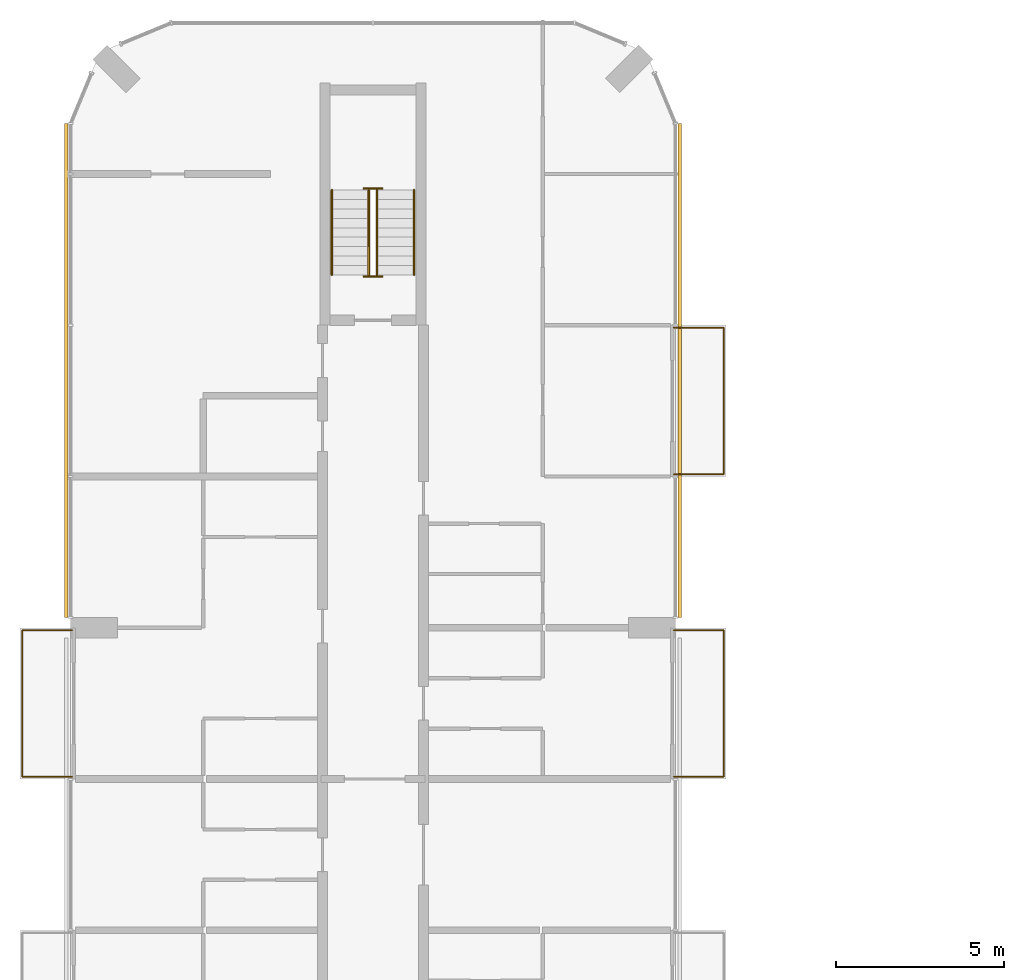
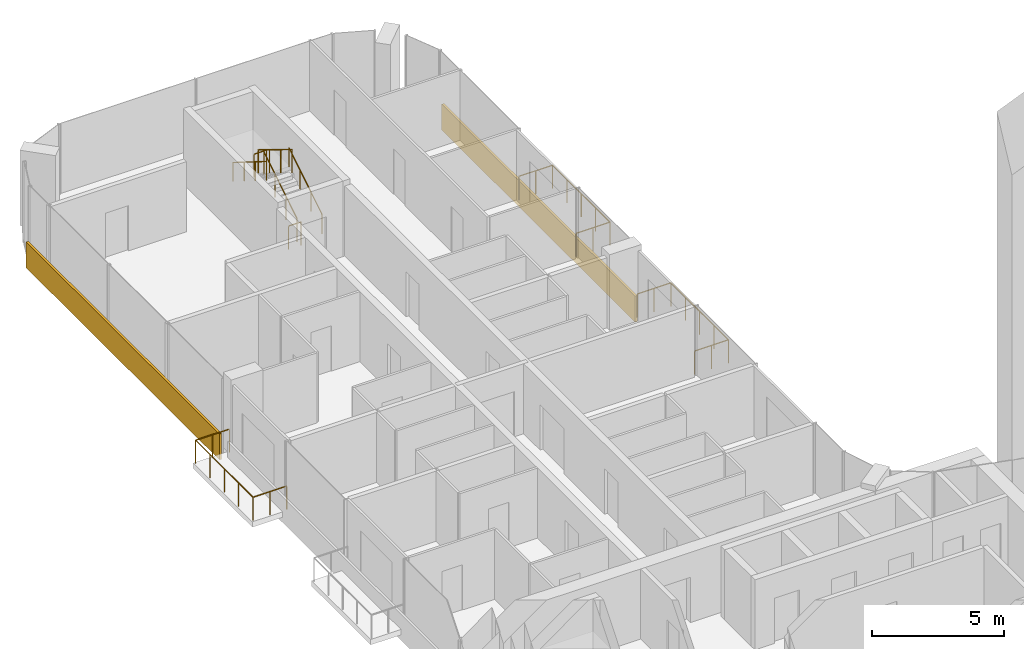
# One storey, part 18 of 18: 9 railings, 2 coverings.
"""IFC4 building model written with IfcOpenShell, lengths in metres."""

from ifc_helpers import new_model, si_unit, direction, frame, origin, origin_2d, place, context, subcontext, project, spatial, rectangle, circle, extrude, material, layer, layer_set, type_object, element, save


model = new_model("IFC4")

# Units and contexts
model_context = context("Model", 3, precision=1e-05, world=origin(), true_north=direction((0.0, 1.0)))
body_context = subcontext(model_context, "Body", "Model", "MODEL_VIEW")
ifc_project = project(units=[si_unit("LENGTHUNIT", "METRE"), si_unit("AREAUNIT", "SQUARE_METRE"), si_unit("VOLUMEUNIT", "CUBIC_METRE"), si_unit("PLANEANGLEUNIT", "RADIAN"), si_unit("MASSUNIT", "GRAM", prefix="KILO")], contexts=[model_context])

# Site, building, storey
site_placement = place(None, origin())
site = spatial("IfcSite", under=ifc_project, at=site_placement, CompositionType="ELEMENT")
building_placement = place(site_placement, origin())
building = spatial("IfcBuilding", under=site, at=building_placement, Name="Plateau Cross Towers", CompositionType="ELEMENT")
storey_placement = place(building_placement, frame((0.0, 0.0, 139.39990234375)))
storey = spatial("IfcBuildingStorey", under=building, at=storey_placement, Name="L35", CompositionType="ELEMENT", Elevation=139.39990234375)

# Railings
ifc_material_1 = material(Name="Stainless steel and toughened glass", Category="steel")
railing_type_1 = type_object("IfcRailingType", Name="Glass balustrade guard 1100", PredefinedType="GUARDRAIL", material=ifc_material_1)
railing_1_placement = place(storey_placement, frame((0.050048828125, 31.570068359375, 0.0)))
element("IfcRailing", 1, at=railing_1_placement, inside=storey, type_object=railing_type_1, Name="Guard guard1", PredefinedType="GUARDRAIL", context=body_context, shape_type="SweptSolid", body=[
    extrude(circle(Radius=0.02392578125, at=origin_2d()), frame((0.0, 0.0, 1.076171875), z_axis=(-1.0, 0.0, 0.0), x_axis=(0.0, -1.0, 0.0)), (0.0, 0.0, 1.0), 1.47998046875),
    extrude(circle(Radius=0.02392578125, at=origin_2d()), frame((-1.47998046875, 0.0, 1.076171875), z_axis=(0.0, 1.0, 0.0), x_axis=(-1.0, 0.0, 0.0)), (0.0, 0.0, 1.0), 4.35986328125),
    extrude(circle(Radius=0.02392578125, at=origin_2d()), frame((-1.47998046875, 4.35986328125, 1.076171875), z_axis=(1.0, 0.0, 0.0), x_axis=(0.0, 1.0, 0.0)), (0.0, 0.0, 1.0), 1.47998046875),
    extrude(circle(Radius=0.02099609375, at=origin_2d()), origin(), (0.0, 0.0, 1.0), 1.052001953125),
    extrude(circle(Radius=0.02099609375, at=origin_2d()), frame((-0.739990234375, 0.0, 0.0)), (0.0, 0.0, 1.0), 1.052001953125),
    extrude(circle(Radius=0.02099609375, at=origin_2d()), frame((-1.47998046875, 0.0, 0.0)), (0.0, 0.0, 1.0), 1.052001953125),
    extrude(circle(Radius=0.02099609375, at=origin_2d()), frame((-1.47998046875, 1.08984375, 0.0)), (0.0, 0.0, 1.0), 1.052001953125),
    extrude(circle(Radius=0.02099609375, at=origin_2d()), frame((-1.47998046875, 2.179931640625, 0.0)), (0.0, 0.0, 1.0), 1.052001953125),
    extrude(circle(Radius=0.02099609375, at=origin_2d()), frame((-1.47998046875, 3.27001953125, 0.0)), (0.0, 0.0, 1.0), 1.052001953125),
    extrude(circle(Radius=0.02099609375, at=origin_2d()), frame((-1.47998046875, 4.35986328125, 0.0)), (0.0, 0.0, 1.0), 1.052001953125),
    extrude(circle(Radius=0.02099609375, at=origin_2d()), frame((-0.739990234375, 4.35986328125, 0.0)), (0.0, 0.0, 1.0), 1.052001953125),
    extrude(circle(Radius=0.02099609375, at=origin_2d()), frame((0.0, 4.35986328125, 0.0)), (0.0, 0.0, 1.0), 1.052001953125),
])
for number, where, name in (
    (2, (17.949951171875, 35.929931640625, 0.0), "Guard guard1"),
    (3, (17.949951171875, 44.929931640625, 0.0), "Guard guard1"),
):
    element("IfcRailing", number, at=place(storey_placement, frame(where)), inside=storey, type_object=railing_type_1, Name=name, PredefinedType="GUARDRAIL", context=body_context, shape_type="SweptSolid", body=[
        extrude(circle(Radius=0.02392578125, at=origin_2d()), frame((0.0, 0.0, 1.076171875), z_axis=(1.0, 0.0, 0.0), x_axis=(0.0, 1.0, 0.0)), (0.0, 0.0, 1.0), 1.47998046875),
        extrude(circle(Radius=0.02392578125, at=origin_2d()), frame((1.47998046875, 0.0, 1.076171875), z_axis=(0.0, -1.0, 0.0), x_axis=(1.0, 0.0, 0.0)), (0.0, 0.0, 1.0), 4.35986328125),
        extrude(circle(Radius=0.02392578125, at=origin_2d()), frame((1.47998046875, -4.35986328125, 1.076171875), z_axis=(-1.0, 0.0, 0.0), x_axis=(0.0, -1.0, 0.0)), (0.0, 0.0, 1.0), 1.47998046875),
        extrude(circle(Radius=0.02099609375, at=origin_2d()), origin(), (0.0, 0.0, 1.0), 1.052001953125),
        extrude(circle(Radius=0.02099609375, at=origin_2d()), frame((0.739990234375, 0.0, 0.0)), (0.0, 0.0, 1.0), 1.052001953125),
        extrude(circle(Radius=0.02099609375, at=origin_2d()), frame((1.47998046875, 0.0, 0.0)), (0.0, 0.0, 1.0), 1.052001953125),
        extrude(circle(Radius=0.02099609375, at=origin_2d()), frame((1.47998046875, -1.08984375, 0.0)), (0.0, 0.0, 1.0), 1.052001953125),
        extrude(circle(Radius=0.02099609375, at=origin_2d()), frame((1.47998046875, -2.179931640625, 0.0)), (0.0, 0.0, 1.0), 1.052001953125),
        extrude(circle(Radius=0.02099609375, at=origin_2d()), frame((1.47998046875, -3.27001953125, 0.0)), (0.0, 0.0, 1.0), 1.052001953125),
        extrude(circle(Radius=0.02099609375, at=origin_2d()), frame((1.47998046875, -4.35986328125, 0.0)), (0.0, 0.0, 1.0), 1.052001953125),
        extrude(circle(Radius=0.02099609375, at=origin_2d()), frame((0.739990234375, -4.35986328125, 0.0)), (0.0, 0.0, 1.0), 1.052001953125),
        extrude(circle(Radius=0.02099609375, at=origin_2d()), frame((0.0, -4.35986328125, 0.0)), (0.0, 0.0, 1.0), 1.052001953125),
    ])
railing_type_2 = type_object("IfcRailingType", Name="RL-GUARD-1100", PredefinedType="GUARDRAIL", material=ifc_material_1)
railing_2_placement = place(storey_placement, frame((9.125, 46.5, 0.175048828125)))
element("IfcRailing", 4, at=railing_2_placement, inside=storey, type_object=railing_type_2, Name="L35 ES-N stair guard 1", PredefinedType="GUARDRAIL", context=body_context, shape_type="SweptSolid", body=[
    extrude(circle(Radius=0.02392578125, at=origin_2d()), frame((0.0, 0.0, 1.076171875), z_axis=(0.0, 0.848007534815, 0.529984170421), x_axis=(-1.0, 0.0, 0.0)), (0.0, 0.0, 1.0), 2.9716796875),
    extrude(circle(Radius=0.02099609375, at=origin_2d()), origin(), (0.0, 0.0, 1.0), 1.052001953125),
    extrude(circle(Radius=0.02099609375, at=origin_2d()), frame((0.0, 0.840087890625, 0.52490234375)), (0.0, 0.0, 1.0), 1.052001953125),
    extrude(circle(Radius=0.02099609375, at=origin_2d()), frame((0.0, 1.679931640625, 1.050048828125)), (0.0, 0.0, 1.0), 1.052001953125),
    extrude(circle(Radius=0.02099609375, at=origin_2d()), frame((0.0, 2.52001953125, 1.574951171875)), (0.0, 0.0, 1.0), 1.052001953125),
])
railing_3_placement = place(storey_placement, frame((9.27490234375, 49.070068359375, 1.75)))
element("IfcRailing", 5, at=railing_3_placement, inside=storey, type_object=railing_type_2, Name="L35 ES-N stair guard 2", PredefinedType="GUARDRAIL", context=body_context, shape_type="SweptSolid", body=[
    extrude(circle(Radius=0.02392578125, at=origin_2d()), frame((0.0, 0.0, 1.076171875), z_axis=(-1.0, 0.0, 0.0), x_axis=(0.0, -1.0, 0.0)), (0.0, 0.0, 1.0), 0.5498046875),
    extrude(circle(Radius=0.02099609375, at=origin_2d()), origin(), (0.0, 0.0, 1.0), 1.052001953125),
    extrude(circle(Radius=0.02099609375, at=origin_2d()), frame((-0.5498046875, 0.0, 0.0)), (0.0, 0.0, 1.0), 1.052001953125),
])
railing_4_placement = place(storey_placement, frame((8.875, 49.02001953125, 1.925048828125)))
element("IfcRailing", 6, at=railing_4_placement, inside=storey, type_object=railing_type_2, Name="L35 ES-N stair guard 3", PredefinedType="GUARDRAIL", context=body_context, shape_type="SweptSolid", body=[
    extrude(circle(Radius=0.02392578125, at=origin_2d()), frame((0.0, 0.0, 1.076171875), z_axis=(0.0, -0.852638500773, 0.522501279423), x_axis=(1.0, 0.0, 0.0)), (0.0, 0.0, 1.0), 3.01416015625),
    extrude(circle(Radius=0.02099609375, at=origin_2d()), origin(), (0.0, 0.0, 1.0), 1.052001953125),
    extrude(circle(Radius=0.02099609375, at=origin_2d()), frame((0.0, -0.856689453125, 0.52490234375)), (0.0, 0.0, 1.0), 1.052001953125),
    extrude(circle(Radius=0.02099609375, at=origin_2d()), frame((0.0, -1.71337890625, 1.050048828125)), (0.0, 0.0, 1.0), 1.052001953125),
    extrude(circle(Radius=0.02099609375, at=origin_2d()), frame((0.0, -2.570068359375, 1.574951171875)), (0.0, 0.0, 1.0), 1.052001953125),
])
railing_5_placement = place(storey_placement, frame((9.27490234375, 46.449951171875, 0.0)))
element("IfcRailing", 7, at=railing_5_placement, inside=storey, type_object=railing_type_2, Name="L35 ES-N stair guard 4", PredefinedType="GUARDRAIL", context=body_context, shape_type="SweptSolid", body=[
    extrude(circle(Radius=0.02392578125, at=origin_2d()), frame((0.0, 0.0, 1.076171875), z_axis=(-1.0, 0.0, 0.0), x_axis=(0.0, -1.0, 0.0)), (0.0, 0.0, 1.0), 0.5498046875),
    extrude(circle(Radius=0.02099609375, at=origin_2d()), origin(), (0.0, 0.0, 1.0), 1.052001953125),
    extrude(circle(Radius=0.02099609375, at=origin_2d()), frame((-0.5498046875, 0.0, 0.0)), (0.0, 0.0, 1.0), 1.052001953125),
])
ifc_material_2 = material(Name="Black anodised aluminium", Category="aluminium")
railing_type_3 = type_object("IfcRailingType", Name="RL-HANDRAIL-900", PredefinedType="HANDRAIL", material=ifc_material_2)
railing_6_placement = place(storey_placement, frame((10.22509765625, 46.5, 0.175048828125)))
element("IfcRailing", 8, at=railing_6_placement, inside=storey, type_object=railing_type_3, Name="L35 ES-N stair handrail 1", PredefinedType="HANDRAIL", context=body_context, shape_type="SweptSolid", body=[
    extrude(circle(Radius=0.02392578125, at=origin_2d()), frame((0.0, 0.0, 0.8759765625), z_axis=(0.0, 0.848007534815, 0.529984170421), x_axis=(-1.0, 0.0, 0.0)), (0.0, 0.0, 1.0), 2.9716796875),
    extrude(circle(Radius=0.02099609375, at=origin_2d()), origin(), (0.0, 0.0, 1.0), 0.851806640625),
    extrude(circle(Radius=0.02099609375, at=origin_2d()), frame((0.0, 0.840087890625, 0.52490234375)), (0.0, 0.0, 1.0), 0.851806640625),
    extrude(circle(Radius=0.02099609375, at=origin_2d()), frame((0.0, 1.679931640625, 1.050048828125)), (0.0, 0.0, 1.0), 0.851806640625),
    extrude(circle(Radius=0.02099609375, at=origin_2d()), frame((0.0, 2.52001953125, 1.574951171875)), (0.0, 0.0, 1.0), 0.851806640625),
])
railing_7_placement = place(storey_placement, frame((7.77490234375, 49.02001953125, 1.925048828125)))
element("IfcRailing", 9, at=railing_7_placement, inside=storey, type_object=railing_type_3, Name="L35 ES-N stair handrail 2", PredefinedType="HANDRAIL", context=body_context, shape_type="SweptSolid", body=[
    extrude(circle(Radius=0.02392578125, at=origin_2d()), frame((0.0, 0.0, 0.8759765625), z_axis=(0.0, -0.848007534815, 0.529984170421), x_axis=(1.0, 0.0, 0.0)), (0.0, 0.0, 1.0), 2.9716796875),
    extrude(circle(Radius=0.02099609375, at=origin_2d()), origin(), (0.0, 0.0, 1.0), 0.851806640625),
    extrude(circle(Radius=0.02099609375, at=origin_2d()), frame((0.0, -0.840087890625, 0.52490234375)), (0.0, 0.0, 1.0), 0.851806640625),
    extrude(circle(Radius=0.02099609375, at=origin_2d()), frame((0.0, -1.679931640625, 1.050048828125)), (0.0, 0.0, 1.0), 0.851806640625),
    extrude(circle(Radius=0.02099609375, at=origin_2d()), frame((0.0, -2.52001953125, 1.574951171875)), (0.0, 0.0, 1.0), 0.851806640625),
])

# Coverings
ifc_material_3 = material(Name="Precast concrete cladding C40/50", Category="concrete")
ifc_layer = layer(ifc_material_3, 0.10009765625)
ifc_layer_set = layer_set([ifc_layer], Name="Precast concrete cladding C40/50")
covering_type = type_object("IfcCoveringType", Name="Spandrel band cladding 100x1200", PredefinedType="CLADDING", material=ifc_layer_set)
for number, where, z_axis, x_axis, name in (
    (10, (18.1201171875, 43.64990234375, -0.5), (0.0, 0.0, 1.0), (0.0, 1.0, 0.0), "Spandrel band"),
    (11, (-0.1201171875, 43.64990234375, -0.5), (0.0, 0.0, 1.0), (0.0, -1.0, 0.0), "Spandrel band"),
):
    element("IfcCovering", number, at=place(storey_placement, frame(where, z_axis=z_axis, x_axis=x_axis)), inside=storey, type_object=covering_type, Name=name, PredefinedType="CLADDING", context=body_context, shape_type="SweptSolid", body=[
        extrude(rectangle(XDim=14.699951171875, YDim=0.10009765625, at=origin_2d()), origin(), (0.0, 0.0, 1.0), 1.199951171875),
    ])

save(model, "model.ifc")
